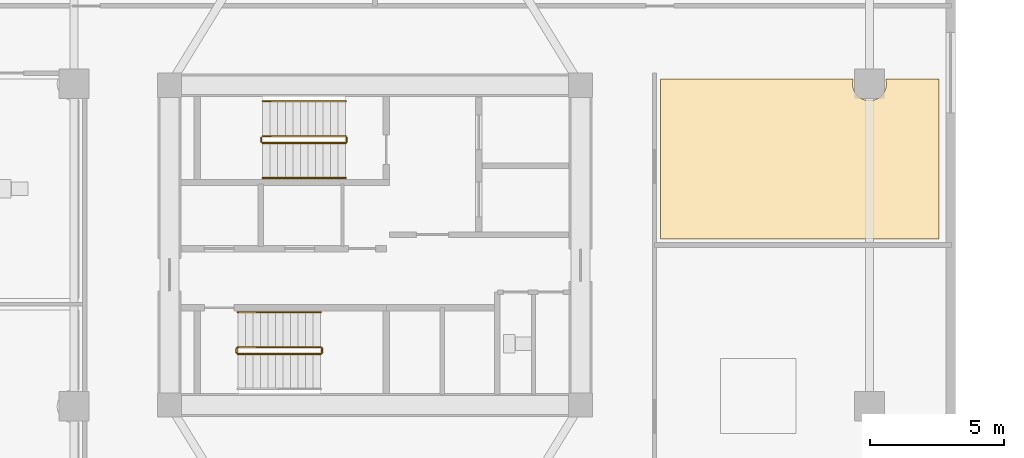
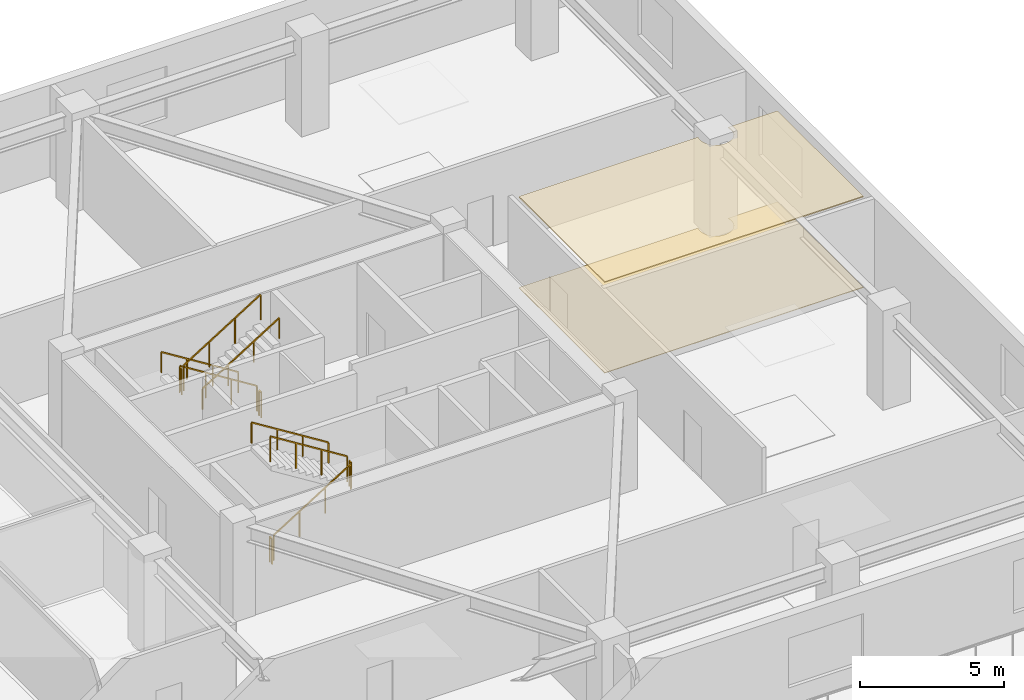
# One storey, part 19 of 22: 11 railings, 2 coverings.
"""IFC4 building model written with IfcOpenShell, lengths in metres."""

from ifc_helpers import new_model, si_unit, direction, frame, origin, origin_2d, place, context, subcontext, project, spatial, polyline, rectangle, outline, extrude, material, layer, layer_set, type_object, element, save


model = new_model("IFC4")

# Units and contexts
model_context = context("Model", 3, precision=1e-05, world=origin(), true_north=direction((0.0, 1.0)))
body_context = subcontext(model_context, "Body", "Model", "MODEL_VIEW")
ifc_project = project(units=[si_unit("LENGTHUNIT", "METRE"), si_unit("AREAUNIT", "SQUARE_METRE"), si_unit("VOLUMEUNIT", "CUBIC_METRE"), si_unit("PLANEANGLEUNIT", "RADIAN"), si_unit("MASSUNIT", "GRAM", prefix="KILO")], contexts=[model_context])

# Site, building, storey
site_placement = place(None, origin())
site = spatial("IfcSite", under=ifc_project, at=site_placement, CompositionType="ELEMENT")
building_placement = place(site_placement, origin())
building = spatial("IfcBuilding", under=site, at=building_placement, Name="Norrkilde Senior Care Towers", CompositionType="ELEMENT")
storey_placement = place(building_placement, frame((0.0, 0.0, 12.60009765625)))
storey = spatial("IfcBuildingStorey", under=building, at=storey_placement, Name="L03", CompositionType="ELEMENT", Elevation=12.60009765625)

# Coverings
ifc_material_1 = material(Name="Nordic Ash Timber", Category="wood")
ifc_layer_1 = layer(ifc_material_1, 0.044921875)
ifc_layer_set_1 = layer_set([ifc_layer_1], Name="Nordic Ash Timber")
covering_type_1 = type_object("IfcCoveringType", Name="Acoustic Ash Timber Slatted Ceiling 45", PredefinedType="CEILING", material=ifc_layer_set_1)
covering_1_placement = place(storey_placement, frame((0.0, 0.0, 3.8349609375)))
element("IfcCovering", 1, at=covering_1_placement, inside=storey, type_object=covering_type_1, Name="L03 Suspended Ceiling 0073", PredefinedType="CEILING", context=body_context, shape_type="SweptSolid", body=[
    extrude(outline(polyline([(48.97998046875, 0.219970703125), (38.6201171875, 0.219970703125), (38.6201171875, 6.179931640625), (45.798583984375, 6.179931640625), (45.79150390625, 6.1630859375), (45.77001953125, 6.0), (45.79150390625, 5.8369140625), (45.8544921875, 5.68505859375), (45.95458984375, 5.554443359375), (46.0849609375, 5.454345703125), (46.237060546875, 5.391357421875), (46.39990234375, 5.3701171875), (46.56298828125, 5.391357421875), (46.715087890625, 5.454345703125), (46.845458984375, 5.554443359375), (46.945556640625, 5.68505859375), (47.008544921875, 5.8369140625), (47.030029296875, 6.0), (47.008544921875, 6.1630859375), (47.00146484375, 6.179931640625), (48.97998046875, 6.179931640625), (48.97998046875, 0.219970703125)])), origin(), (0.0, 0.0, 1.0), 0.044921875),
])
ifc_material_2 = material(Name="Slip-Resistant Porcelain Stone", Category="masonry")
ifc_layer_2 = layer(ifc_material_2, 0.02490234375)
ifc_layer_set_2 = layer_set([ifc_layer_2], Name="Slip-Resistant Porcelain Stone")
covering_type_2 = type_object("IfcCoveringType", Name="Slip-Resistant Porcelain Flooring 25", PredefinedType="FLOORING", material=ifc_layer_set_2)
covering_2_placement = place(storey_placement, origin())
element("IfcCovering", 2, at=covering_2_placement, inside=storey, type_object=covering_type_2, Name="L03 Floor Finish 0073", PredefinedType="FLOORING", context=body_context, shape_type="SweptSolid", body=[
    extrude(outline(polyline([(48.97998046875, 0.219970703125), (38.6201171875, 0.219970703125), (38.6201171875, 6.179931640625), (45.798583984375, 6.179931640625), (45.79150390625, 6.1630859375), (45.77001953125, 6.0), (45.79150390625, 5.8369140625), (45.8544921875, 5.68505859375), (45.95458984375, 5.554443359375), (46.0849609375, 5.454345703125), (46.237060546875, 5.391357421875), (46.39990234375, 5.3701171875), (46.56298828125, 5.391357421875), (46.715087890625, 5.454345703125), (46.845458984375, 5.554443359375), (46.945556640625, 5.68505859375), (47.008544921875, 5.8369140625), (47.030029296875, 6.0), (47.008544921875, 6.1630859375), (47.00146484375, 6.179931640625), (48.97998046875, 6.179931640625), (48.97998046875, 0.219970703125)])), origin(), (0.0, 0.0, 1.0), 0.02490234375),
])

# Railings
ifc_material_3 = material(Name="Stainless Steel", Category="steel")
railing_type_1 = type_object("IfcRailingType", Name="Stair and Terrace Guardrail 1100", PredefinedType="GUARDRAIL", material=ifc_material_3)
railing_1_placement = place(storey_placement, frame((26.89990234375, 4.050048828125, 0.1748046875)))
element("IfcRailing", 3, at=railing_1_placement, inside=storey, type_object=railing_type_1, Name="L03 ST-E1 stair guard 1", PredefinedType="GUARDRAIL", context=body_context, shape_type="SweptSolid", body=[
    extrude(rectangle(XDim=0.048095703125, YDim=0.048095703125, at=origin_2d()), frame((0.0, 0.0, 1.076171875), z_axis=(-0.847979421464, 0.0, 0.530029150871), x_axis=(0.0, -1.0, 0.0)), (0.0, 0.0, 1.0), 3.632080078125),
    extrude(rectangle(XDim=0.0419921875, YDim=0.0419921875, at=origin_2d()), origin(), (0.0, 0.0, 1.0), 1.050048828125),
    extrude(rectangle(XDim=0.0419921875, YDim=0.0419921875, at=origin_2d()), frame((-1.026611328125, 0.0, 0.6416015625)), (0.0, 0.0, 1.0), 1.050048828125),
    extrude(rectangle(XDim=0.0419921875, YDim=0.0419921875, at=origin_2d()), frame((-2.05322265625, 0.0, 1.283447265625)), (0.0, 0.0, 1.0), 1.050048828125),
    extrude(rectangle(XDim=0.0419921875, YDim=0.0419921875, at=origin_2d()), frame((-3.079833984375, 0.0, 1.925048828125)), (0.0, 0.0, 1.0), 1.050048828125),
])
railing_2_placement = place(storey_placement, frame((23.77001953125, 4.0, 2.099853515625)))
element("IfcRailing", 4, at=railing_2_placement, inside=storey, type_object=railing_type_1, Name="L03 ST-E1 stair guard 2", PredefinedType="GUARDRAIL", context=body_context, shape_type="SweptSolid", body=[
    extrude(rectangle(XDim=0.048095703125, YDim=0.048095703125, at=origin_2d()), frame((0.0, 0.0, 1.076171875), z_axis=(0.0, -1.0, 0.0), x_axis=(1.0, 0.0, 0.0)), (0.0, 0.0, 1.0), 0.14990234375),
    extrude(rectangle(XDim=0.0419921875, YDim=0.0419921875, at=origin_2d()), origin(), (0.0, 0.0, 1.0), 1.050048828125),
    extrude(rectangle(XDim=0.0419921875, YDim=0.0419921875, at=origin_2d()), frame((0.0, -0.14990234375, 0.0)), (0.0, 0.0, 1.0), 1.050048828125),
])
railing_3_placement = place(storey_placement, frame((23.820068359375, 3.800048828125, 2.27490234375)))
element("IfcRailing", 5, at=railing_3_placement, inside=storey, type_object=railing_type_1, Name="L03 ST-E1 stair guard 3", PredefinedType="GUARDRAIL", context=body_context, shape_type="SweptSolid", body=[
    extrude(rectangle(XDim=0.048095703125, YDim=0.048095703125, at=origin_2d()), frame((0.0, 0.0, 1.076171875), z_axis=(0.847979421464, 0.0, 0.530029150871), x_axis=(0.0, 1.0, 0.0)), (0.0, 0.0, 1.0), 3.632080078125),
    extrude(rectangle(XDim=0.0419921875, YDim=0.0419921875, at=origin_2d()), origin(), (0.0, 0.0, 1.0), 1.050048828125),
    extrude(rectangle(XDim=0.0419921875, YDim=0.0419921875, at=origin_2d()), frame((1.026611328125, 0.0, 0.6416015625)), (0.0, 0.0, 1.0), 1.050048828125),
    extrude(rectangle(XDim=0.0419921875, YDim=0.0419921875, at=origin_2d()), frame((2.05322265625, 0.0, 1.283447265625)), (0.0, 0.0, 1.0), 1.050048828125),
    extrude(rectangle(XDim=0.0419921875, YDim=0.0419921875, at=origin_2d()), frame((3.079833984375, 0.0, 1.925048828125)), (0.0, 0.0, 1.0), 1.050048828125),
])
railing_4_placement = place(storey_placement, frame((26.949951171875, 4.0, 0.0)))
element("IfcRailing", 6, at=railing_4_placement, inside=storey, type_object=railing_type_1, Name="L03 ST-E1 stair guard 4", PredefinedType="GUARDRAIL", context=body_context, shape_type="SweptSolid", body=[
    extrude(rectangle(XDim=0.048095703125, YDim=0.048095703125, at=origin_2d()), frame((0.0, 0.0, 1.076171875), z_axis=(0.0, -1.0, 0.0), x_axis=(1.0, 0.0, 0.0)), (0.0, 0.0, 1.0), 0.14990234375),
    extrude(rectangle(XDim=0.0419921875, YDim=0.0419921875, at=origin_2d()), origin(), (0.0, 0.0, 1.0), 1.050048828125),
    extrude(rectangle(XDim=0.0419921875, YDim=0.0419921875, at=origin_2d()), frame((0.0, -0.14990234375, 0.0)), (0.0, 0.0, 1.0), 1.050048828125),
])
railing_5_placement = place(storey_placement, frame((22.89990234375, -4.050048828125, 0.1748046875)))
element("IfcRailing", 7, at=railing_5_placement, inside=storey, type_object=railing_type_1, Name="L03 ST-E2 stair guard 1", PredefinedType="GUARDRAIL", context=body_context, shape_type="SweptSolid", body=[
    extrude(rectangle(XDim=0.048095703125, YDim=0.048095703125, at=origin_2d()), frame((0.0, 0.0, 1.076171875), z_axis=(0.847998304005, 0.0, 0.529998940003), x_axis=(0.0, 1.0, 0.0)), (0.0, 0.0, 1.0), 3.632080078125),
    extrude(rectangle(XDim=0.0419921875, YDim=0.0419921875, at=origin_2d()), origin(), (0.0, 0.0, 1.0), 1.050048828125),
    extrude(rectangle(XDim=0.0419921875, YDim=0.0419921875, at=origin_2d()), frame((1.026611328125, 0.0, 0.6416015625)), (0.0, 0.0, 1.0), 1.050048828125),
    extrude(rectangle(XDim=0.0419921875, YDim=0.0419921875, at=origin_2d()), frame((2.053466796875, 0.0, 1.283447265625)), (0.0, 0.0, 1.0), 1.050048828125),
    extrude(rectangle(XDim=0.0419921875, YDim=0.0419921875, at=origin_2d()), frame((3.080078125, 0.0, 1.925048828125)), (0.0, 0.0, 1.0), 1.050048828125),
])
railing_6_placement = place(storey_placement, frame((26.030029296875, -4.0, 2.099853515625)))
element("IfcRailing", 8, at=railing_6_placement, inside=storey, type_object=railing_type_1, Name="L03 ST-E2 stair guard 2", PredefinedType="GUARDRAIL", context=body_context, shape_type="SweptSolid", body=[
    extrude(rectangle(XDim=0.048095703125, YDim=0.048095703125, at=origin_2d()), frame((0.0, 0.0, 1.076171875), z_axis=(0.0, 1.0, 0.0), x_axis=(-1.0, 0.0, 0.0)), (0.0, 0.0, 1.0), 0.14990234375),
    extrude(rectangle(XDim=0.0419921875, YDim=0.0419921875, at=origin_2d()), origin(), (0.0, 0.0, 1.0), 1.050048828125),
    extrude(rectangle(XDim=0.0419921875, YDim=0.0419921875, at=origin_2d()), frame((0.0, 0.14990234375, 0.0)), (0.0, 0.0, 1.0), 1.050048828125),
])
railing_7_placement = place(storey_placement, frame((25.97998046875, -3.800048828125, 2.27490234375)))
element("IfcRailing", 9, at=railing_7_placement, inside=storey, type_object=railing_type_1, Name="L03 ST-E2 stair guard 3", PredefinedType="GUARDRAIL", context=body_context, shape_type="SweptSolid", body=[
    extrude(rectangle(XDim=0.048095703125, YDim=0.048095703125, at=origin_2d()), frame((0.0, 0.0, 1.076171875), z_axis=(-0.847998304005, 0.0, 0.529998940003), x_axis=(0.0, -1.0, 0.0)), (0.0, 0.0, 1.0), 3.632080078125),
    extrude(rectangle(XDim=0.0419921875, YDim=0.0419921875, at=origin_2d()), origin(), (0.0, 0.0, 1.0), 1.050048828125),
    extrude(rectangle(XDim=0.0419921875, YDim=0.0419921875, at=origin_2d()), frame((-1.026611328125, 0.0, 0.6416015625)), (0.0, 0.0, 1.0), 1.050048828125),
    extrude(rectangle(XDim=0.0419921875, YDim=0.0419921875, at=origin_2d()), frame((-2.053466796875, 0.0, 1.283447265625)), (0.0, 0.0, 1.0), 1.050048828125),
    extrude(rectangle(XDim=0.0419921875, YDim=0.0419921875, at=origin_2d()), frame((-3.080078125, 0.0, 1.925048828125)), (0.0, 0.0, 1.0), 1.050048828125),
])
railing_8_placement = place(storey_placement, frame((22.85009765625, -4.0, 0.0)))
element("IfcRailing", 10, at=railing_8_placement, inside=storey, type_object=railing_type_1, Name="L03 ST-E2 stair guard 4", PredefinedType="GUARDRAIL", context=body_context, shape_type="SweptSolid", body=[
    extrude(rectangle(XDim=0.048095703125, YDim=0.048095703125, at=origin_2d()), frame((0.0, 0.0, 1.076171875), z_axis=(0.0, 1.0, 0.0), x_axis=(-1.0, 0.0, 0.0)), (0.0, 0.0, 1.0), 0.14990234375),
    extrude(rectangle(XDim=0.0419921875, YDim=0.0419921875, at=origin_2d()), origin(), (0.0, 0.0, 1.0), 1.050048828125),
    extrude(rectangle(XDim=0.0419921875, YDim=0.0419921875, at=origin_2d()), frame((0.0, 0.14990234375, 0.0)), (0.0, 0.0, 1.0), 1.050048828125),
])
railing_type_2 = type_object("IfcRailingType", Name="Wall and Stair Handrail 900", PredefinedType="HANDRAIL", material=ifc_material_1)
railing_9_placement = place(storey_placement, frame((26.89990234375, 5.35009765625, 0.1748046875)))
element("IfcRailing", 11, at=railing_9_placement, inside=storey, type_object=railing_type_2, Name="L03 ST-E1 stair handrail 1", PredefinedType="HANDRAIL", context=body_context, shape_type="SweptSolid", body=[
    extrude(rectangle(XDim=0.048095703125, YDim=0.048095703125, at=origin_2d()), frame((0.0, 0.0, 0.8759765625), z_axis=(-0.847979421464, 0.0, 0.530029150871), x_axis=(0.0, -1.0, 0.0)), (0.0, 0.0, 1.0), 3.632080078125),
    extrude(rectangle(XDim=0.0419921875, YDim=0.0419921875, at=origin_2d()), origin(), (0.0, 0.0, 1.0), 0.849853515625),
    extrude(rectangle(XDim=0.0419921875, YDim=0.0419921875, at=origin_2d()), frame((-1.026611328125, 0.0, 0.6416015625)), (0.0, 0.0, 1.0), 0.849853515625),
    extrude(rectangle(XDim=0.0419921875, YDim=0.0419921875, at=origin_2d()), frame((-2.05322265625, 0.0, 1.283447265625)), (0.0, 0.0, 1.0), 0.849853515625),
    extrude(rectangle(XDim=0.0419921875, YDim=0.0419921875, at=origin_2d()), frame((-3.079833984375, 0.0, 1.925048828125)), (0.0, 0.0, 1.0), 0.849853515625),
])
railing_10_placement = place(storey_placement, frame((23.820068359375, 2.5, 2.27490234375)))
element("IfcRailing", 12, at=railing_10_placement, inside=storey, type_object=railing_type_2, Name="L03 ST-E1 stair handrail 2", PredefinedType="HANDRAIL", context=body_context, shape_type="SweptSolid", body=[
    extrude(rectangle(XDim=0.048095703125, YDim=0.048095703125, at=origin_2d()), frame((0.0, 0.0, 0.8759765625), z_axis=(0.847979421464, 0.0, 0.530029150871), x_axis=(0.0, 1.0, 0.0)), (0.0, 0.0, 1.0), 3.632080078125),
    extrude(rectangle(XDim=0.0419921875, YDim=0.0419921875, at=origin_2d()), origin(), (0.0, 0.0, 1.0), 0.849853515625),
    extrude(rectangle(XDim=0.0419921875, YDim=0.0419921875, at=origin_2d()), frame((1.026611328125, 0.0, 0.6416015625)), (0.0, 0.0, 1.0), 0.849853515625),
    extrude(rectangle(XDim=0.0419921875, YDim=0.0419921875, at=origin_2d()), frame((2.05322265625, 0.0, 1.283447265625)), (0.0, 0.0, 1.0), 0.849853515625),
    extrude(rectangle(XDim=0.0419921875, YDim=0.0419921875, at=origin_2d()), frame((3.079833984375, 0.0, 1.925048828125)), (0.0, 0.0, 1.0), 0.849853515625),
])
railing_11_placement = place(storey_placement, frame((25.97998046875, -2.5, 2.27490234375)))
element("IfcRailing", 13, at=railing_11_placement, inside=storey, type_object=railing_type_2, Name="L03 ST-E2 stair handrail 2", PredefinedType="HANDRAIL", context=body_context, shape_type="SweptSolid", body=[
    extrude(rectangle(XDim=0.048095703125, YDim=0.048095703125, at=origin_2d()), frame((0.0, 0.0, 0.8759765625), z_axis=(-0.847998304005, 0.0, 0.529998940003), x_axis=(0.0, -1.0, 0.0)), (0.0, 0.0, 1.0), 3.632080078125),
    extrude(rectangle(XDim=0.0419921875, YDim=0.0419921875, at=origin_2d()), origin(), (0.0, 0.0, 1.0), 0.849853515625),
    extrude(rectangle(XDim=0.0419921875, YDim=0.0419921875, at=origin_2d()), frame((-1.026611328125, 0.0, 0.6416015625)), (0.0, 0.0, 1.0), 0.849853515625),
    extrude(rectangle(XDim=0.0419921875, YDim=0.0419921875, at=origin_2d()), frame((-2.053466796875, 0.0, 1.283447265625)), (0.0, 0.0, 1.0), 0.849853515625),
    extrude(rectangle(XDim=0.0419921875, YDim=0.0419921875, at=origin_2d()), frame((-3.080078125, 0.0, 1.925048828125)), (0.0, 0.0, 1.0), 0.849853515625),
])

save(model, "model.ifc")
